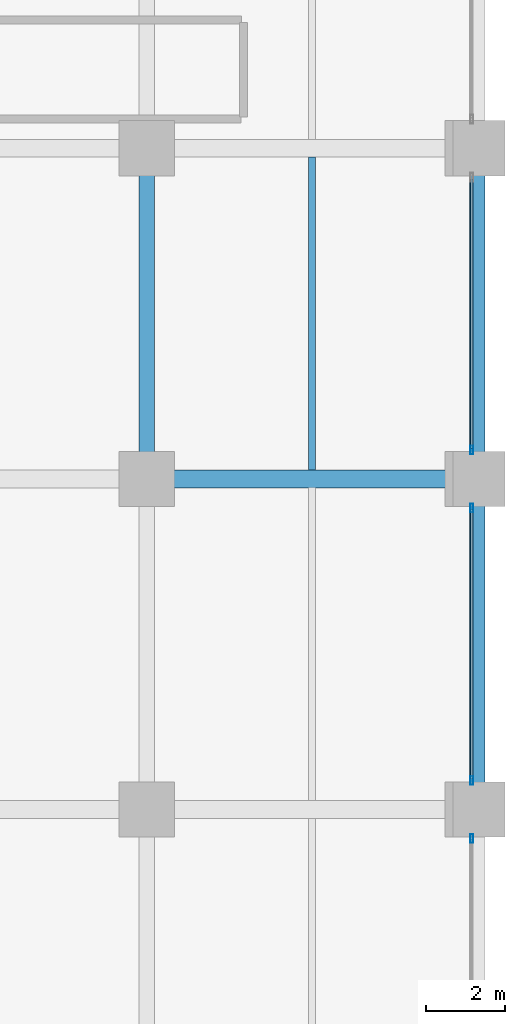
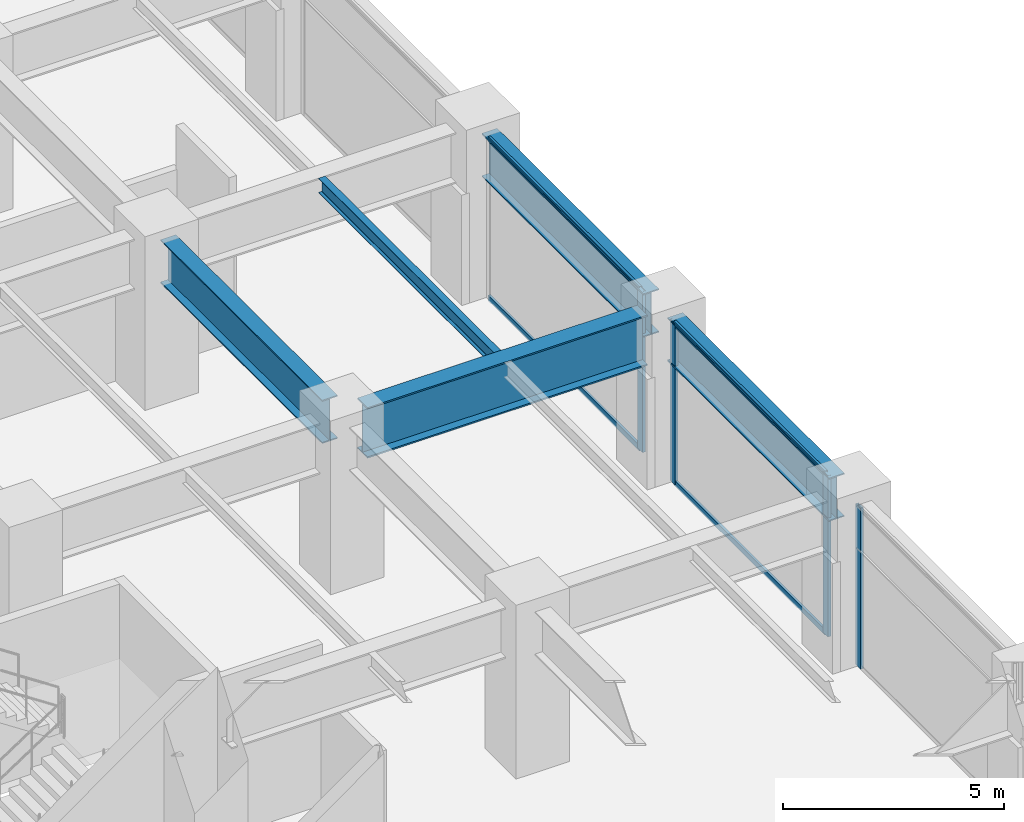
# One storey, part 8 of 24: 8 members, 5 beams, 3 elements without a shape of their own.
"""IFC4 building model written with IfcOpenShell, lengths in metres."""

from ifc_helpers import new_model, si_unit, direction, frame, origin, origin_2d, place, context, subcontext, project, spatial, hollow_rectangle, i_section, extrude, material, layer, layer_set, material_profile, profile_set, type_object, element, aggregate, save


model = new_model("IFC4")

# Units and contexts
model_context = context("Model", 3, precision=1e-05, world=origin(), true_north=direction((0.0, 1.0)))
body_context = subcontext(model_context, "Body", "Model", "MODEL_VIEW")
ifc_project = project(units=[si_unit("LENGTHUNIT", "METRE"), si_unit("AREAUNIT", "SQUARE_METRE"), si_unit("VOLUMEUNIT", "CUBIC_METRE"), si_unit("PLANEANGLEUNIT", "RADIAN"), si_unit("MASSUNIT", "GRAM", prefix="KILO")], contexts=[model_context])

# Site, building, storey
site_placement = place(None, origin())
site = spatial("IfcSite", under=ifc_project, at=site_placement, CompositionType="ELEMENT")
building_placement = place(site_placement, origin())
building = spatial("IfcBuilding", under=site, at=building_placement, Name="Nerrivon Quay Data Exchange", CompositionType="ELEMENT")
storey_placement = place(building_placement, frame((0.0, 0.0, 15.0)))
storey = spatial("IfcBuildingStorey", under=building, at=storey_placement, Name="L03", CompositionType="ELEMENT", Elevation=15.0)

# Beams
ifc_material_1 = material(Name="Steel Grade 350", Category="steel")
ifc_material_profile_1 = material_profile(ifc_material_1, i_section(OverallWidth=0.177978515625, OverallDepth=0.406005859375, WebThickness=0.0078125, FlangeThickness=0.0126953125, FilletRadius=0.011474609375, at=origin_2d()), Name="410UB59.7")
ifc_profile_set_1 = profile_set([ifc_material_profile_1], Name="Steel Grade 350")
beam_type_1 = type_object("IfcBeamType", Name="BM-J1-410UB60", PredefinedType="JOIST", material=ifc_profile_set_1)
beam_1_placement = place(storey_placement, frame((54.60009765625, 25.425048828125, 4.2470703125), z_axis=(0.0, 1.0, 0.0), x_axis=(-1.0, 0.0, 0.0)))
element("IfcBeam", 1, at=beam_1_placement, inside=storey, type_object=beam_type_1, Name="L03 Secondary Joist X=54.6 (25.2..33.6)", PredefinedType="JOIST", context=body_context, shape_type="SweptSolid", body=[
    extrude(i_section(OverallWidth=0.177978515625, OverallDepth=0.406005859375, WebThickness=0.0078125, FlangeThickness=0.0126953125, FilletRadius=0.011474609375, at=origin_2d()), origin(), (0.0, 0.0, 1.0), 7.949951171875),
])
ifc_material_profile_2 = material_profile(ifc_material_1, i_section(OverallWidth=0.449951171875, OverallDepth=1.39990234375, WebThickness=0.02001953125, FlangeThickness=0.0400390625, at=origin_2d()), Name="1400WG455")
ifc_profile_set_2 = profile_set([ifc_material_profile_2], Name="Steel Grade 350")
beam_type_2 = type_object("IfcBeamType", Name="BM-TG1-1400WG", PredefinedType="USERDEFINED", material=ifc_profile_set_2)
beam_2_placement = place(storey_placement, frame((50.93994140625, 25.199951171875, 3.75), z_axis=(1.0, 0.0, 0.0), x_axis=(0.0, 1.0, 0.0)))
element("IfcBeam", 2, at=beam_2_placement, inside=storey, type_object=beam_type_2, Name="L03 EW Girder Y=25.2 (50.4..58.8)", ObjectType="TRANSFER", PredefinedType="USERDEFINED", context=body_context, shape_type="SweptSolid", body=[
    extrude(i_section(OverallWidth=0.449951171875, OverallDepth=1.39990234375, WebThickness=0.02001953125, FlangeThickness=0.0400390625, at=origin_2d()), origin(), (0.0, 0.0, 1.0), 7.320068359375),
])
ifc_material_profile_3 = material_profile(ifc_material_1, i_section(OverallWidth=0.39990234375, OverallDepth=1.199951171875, WebThickness=0.01611328125, FlangeThickness=0.031982421875, at=origin_2d()), Name="1200WB342")
ifc_profile_set_3 = profile_set([ifc_material_profile_3], Name="Steel Grade 350")
beam_type_3 = type_object("IfcBeamType", Name="BM-TG2-1200WB", PredefinedType="USERDEFINED", material=ifc_profile_set_3)
beam_3_placement = place(storey_placement, frame((50.39990234375, 25.739990234375, 3.85009765625), z_axis=(0.0, 1.0, 0.0), x_axis=(-1.0, 0.0, 0.0)))
element("IfcBeam", 3, at=beam_3_placement, inside=storey, type_object=beam_type_3, Name="L03 NS Girder X=50.4 (25.2..33.6)", ObjectType="TRANSFER", PredefinedType="USERDEFINED", context=body_context, shape_type="SweptSolid", body=[
    extrude(i_section(OverallWidth=0.39990234375, OverallDepth=1.199951171875, WebThickness=0.01611328125, FlangeThickness=0.031982421875, at=origin_2d()), origin(), (0.0, 0.0, 1.0), 7.320068359375),
])
beam_4_placement = place(storey_placement, frame((58.800048828125, 17.340087890625, 3.85009765625), z_axis=(0.0, 1.0, 0.0), x_axis=(-1.0, 0.0, 0.0)))
element("IfcBeam", 4, at=beam_4_placement, inside=storey, type_object=beam_type_3, Name="L03 NS Girder X=58.8 (16.8..25.2)", ObjectType="TRANSFER", PredefinedType="USERDEFINED", context=body_context, shape_type="SweptSolid", body=[
    extrude(i_section(OverallWidth=0.39990234375, OverallDepth=1.199951171875, WebThickness=0.01611328125, FlangeThickness=0.031982421875, at=origin_2d()), origin(), (0.0, 0.0, 1.0), 7.31982421875),
])
beam_5_placement = place(storey_placement, frame((58.800048828125, 25.739990234375, 3.85009765625), z_axis=(0.0, 1.0, 0.0), x_axis=(-1.0, 0.0, 0.0)))
element("IfcBeam", 5, at=beam_5_placement, inside=storey, type_object=beam_type_3, Name="L03 NS Girder X=58.8 (25.2..33.6)", ObjectType="TRANSFER", PredefinedType="USERDEFINED", context=body_context, shape_type="SweptSolid", body=[
    extrude(i_section(OverallWidth=0.39990234375, OverallDepth=1.199951171875, WebThickness=0.01611328125, FlangeThickness=0.031982421875, at=origin_2d()), origin(), (0.0, 0.0, 1.0), 7.320068359375),
])

# Curtain wall, member
ifc_material_2 = material(Name="Anodised aluminium 6063-T6", Category="aluminium")
ifc_layer = layer(ifc_material_2, 0.239990234375)
ifc_layer_set = layer_set([ifc_layer], Name="Anodised aluminium 6063-T6")
curtain_wall_type = type_object("IfcCurtainWallType", Name="CW-SYS-03", PredefinedType="NOTDEFINED", material=ifc_layer_set)
curtain_wall_1_placement = place(storey_placement, origin())
curtain_wall_1 = element("IfcCurtainWall", 6, at=curtain_wall_1_placement, inside=storey, type_object=curtain_wall_type, Name="L03 Unitised Curtain Wall 16", PredefinedType="NOTDEFINED")
ifc_material_profile_4 = material_profile(ifc_material_2, hollow_rectangle(XDim=0.074951171875, YDim=0.219970703125, WallThickness=0.00390625, at=origin_2d()), Name="ALU-MULL-220x75")
ifc_profile_set_4 = profile_set([ifc_material_profile_4], Name="Anodised aluminium 6063-T6")
member_type_1 = type_object("IfcMemberType", Name="CWM-220x75", PredefinedType="MULLION", material=ifc_profile_set_4)
member_1_placement = place(storey_placement, frame((58.659912109375, 25.9375, 0.0), z_axis=(0.0, 0.0, 1.0), x_axis=(1.0, 0.0, 0.0)))
member_1 = element("IfcMember", 7, at=member_1_placement, type_object=member_type_1, Name="CW03 mullion 2", PredefinedType="MULLION", context=body_context, shape_type="SweptSolid", body=[
    extrude(hollow_rectangle(XDim=0.074951171875, YDim=0.219970703125, WallThickness=0.00390625, at=origin_2d()), origin(), (0.0, 0.0, 1.0), 4.449951171875),
])

# Curtain wall, members
curtain_wall_2_placement = place(storey_placement, origin())
curtain_wall_2 = element("IfcCurtainWall", 8, at=curtain_wall_2_placement, inside=storey, type_object=curtain_wall_type, Name="L03 Unitised Curtain Wall 17", PredefinedType="NOTDEFINED")
member_2_placement = place(storey_placement, frame((58.659912109375, 24.46240234375, 0.0), z_axis=(0.0, 0.0, 1.0), x_axis=(1.0, 0.0, 0.0)))
member_2 = element("IfcMember", 9, at=member_2_placement, type_object=member_type_1, Name="CW03 mullion 1", PredefinedType="MULLION", context=body_context, shape_type="SweptSolid", body=[
    extrude(hollow_rectangle(XDim=0.074951171875, YDim=0.219970703125, WallThickness=0.00390625, at=origin_2d()), origin(), (0.0, 0.0, 1.0), 4.449951171875),
])
member_3_placement = place(storey_placement, frame((58.659912109375, 17.53759765625, 0.0), z_axis=(0.0, 0.0, 1.0), x_axis=(1.0, 0.0, 0.0)))
member_3 = element("IfcMember", 10, at=member_3_placement, type_object=member_type_1, Name="CW03 mullion 2", PredefinedType="MULLION", context=body_context, shape_type="SweptSolid", body=[
    extrude(hollow_rectangle(XDim=0.074951171875, YDim=0.219970703125, WallThickness=0.00390625, at=origin_2d()), origin(), (0.0, 0.0, 1.0), 4.449951171875),
])

# Curtain wall, member
curtain_wall_3_placement = place(storey_placement, origin())
curtain_wall_3 = element("IfcCurtainWall", 11, at=curtain_wall_3_placement, inside=storey, type_object=curtain_wall_type, Name="L03 Unitised Curtain Wall 18", PredefinedType="NOTDEFINED")
member_4_placement = place(storey_placement, frame((58.659912109375, 16.0625, 0.0), z_axis=(0.0, 0.0, 1.0), x_axis=(1.0, 0.0, 0.0)))
member_4 = element("IfcMember", 12, at=member_4_placement, type_object=member_type_1, Name="CW03 mullion 1", PredefinedType="MULLION", context=body_context, shape_type="SweptSolid", body=[
    extrude(hollow_rectangle(XDim=0.074951171875, YDim=0.219970703125, WallThickness=0.00390625, at=origin_2d()), origin(), (0.0, 0.0, 1.0), 4.449951171875),
])
aggregate(curtain_wall_3, [member_4])

# Member
ifc_material_profile_5 = material_profile(ifc_material_2, hollow_rectangle(XDim=0.06494140625, YDim=0.14990234375, WallThickness=0.00341796875, at=origin_2d()), Name="ALU-TRAN-150x65")
ifc_profile_set_5 = profile_set([ifc_material_profile_5], Name="Anodised aluminium 6063-T6")
member_type_2 = type_object("IfcMemberType", Name="CWT-150x65", PredefinedType="USERDEFINED", material=ifc_profile_set_5)
member_5_placement = place(storey_placement, frame((58.659912109375, 32.824951171875, 0.032470703125), z_axis=(0.0, -1.0, 0.0), x_axis=(1.0, 0.0, 0.0)))
member_5 = element("IfcMember", 13, at=member_5_placement, type_object=member_type_2, Name="CW03 transom 1.1", ObjectType="TRANSOM", PredefinedType="USERDEFINED", context=body_context, shape_type="SweptSolid", body=[
    extrude(hollow_rectangle(XDim=0.06494140625, YDim=0.14990234375, WallThickness=0.00341796875, at=origin_2d()), origin(), (0.0, 0.0, 1.0), 6.849853515625),
])

member_6_placement = place(storey_placement, frame((58.659912109375, 32.824951171875, 4.41748046875), z_axis=(0.0, -1.0, 0.0), x_axis=(1.0, 0.0, 0.0)))
member_6 = element("IfcMember", 14, at=member_6_placement, type_object=member_type_2, Name="CW03 transom 1.2", ObjectType="TRANSOM", PredefinedType="USERDEFINED", context=body_context, shape_type="SweptSolid", body=[
    extrude(hollow_rectangle(XDim=0.06494140625, YDim=0.14990234375, WallThickness=0.00341796875, at=origin_2d()), origin(), (0.0, 0.0, 1.0), 6.849853515625),
])

aggregate(curtain_wall_1, [member_1, member_5, member_6])

member_7_placement = place(storey_placement, frame((58.659912109375, 24.425048828125, 0.032470703125), z_axis=(0.0, -1.0, 0.0), x_axis=(1.0, 0.0, 0.0)))
member_7 = element("IfcMember", 15, at=member_7_placement, type_object=member_type_2, Name="CW03 transom 1.1", ObjectType="TRANSOM", PredefinedType="USERDEFINED", context=body_context, shape_type="SweptSolid", body=[
    extrude(hollow_rectangle(XDim=0.06494140625, YDim=0.14990234375, WallThickness=0.00341796875, at=origin_2d()), origin(), (0.0, 0.0, 1.0), 6.85009765625),
])

member_8_placement = place(storey_placement, frame((58.659912109375, 24.425048828125, 4.41748046875), z_axis=(0.0, -1.0, 0.0), x_axis=(1.0, 0.0, 0.0)))
member_8 = element("IfcMember", 16, at=member_8_placement, type_object=member_type_2, Name="CW03 transom 1.2", ObjectType="TRANSOM", PredefinedType="USERDEFINED", context=body_context, shape_type="SweptSolid", body=[
    extrude(hollow_rectangle(XDim=0.06494140625, YDim=0.14990234375, WallThickness=0.00341796875, at=origin_2d()), origin(), (0.0, 0.0, 1.0), 6.85009765625),
])

aggregate(curtain_wall_2, [member_2, member_3, member_7, member_8])

save(model, "model.ifc")
